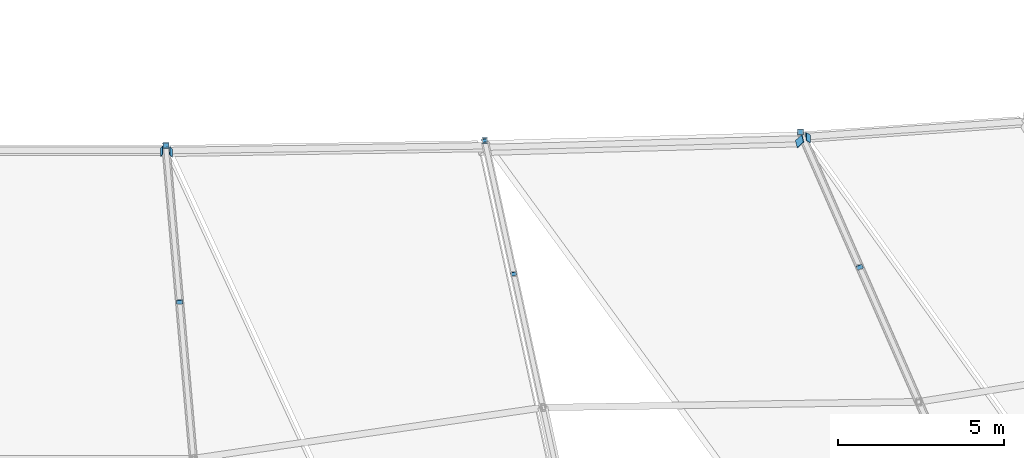
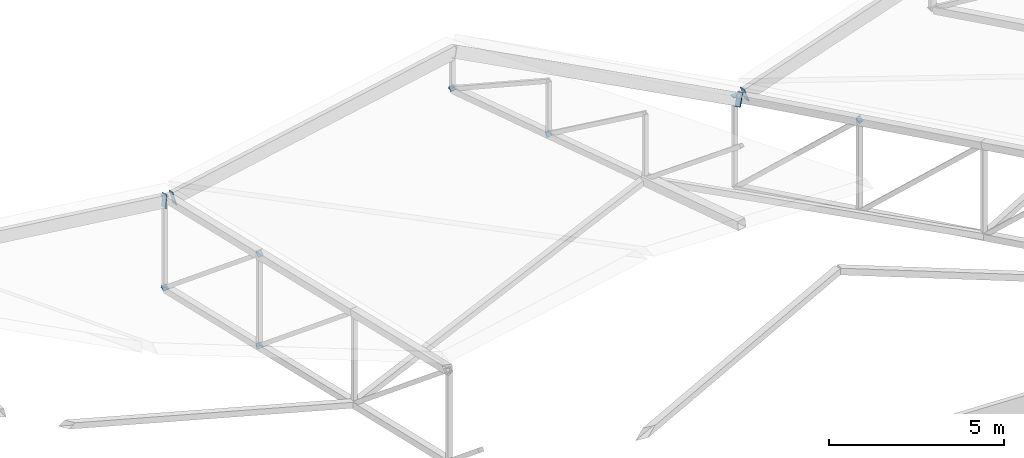
# One storey, part 287 of 344: 14 discrete accessories.
"""IFC4 building model written with IfcOpenShell, lengths in metres."""

import ifcopenshell
import ifcopenshell.guid

model = None  # the IFC model being written
_history = None  # IfcOwnerHistory: only IFC2X3 demands one
_inside = {}  # id of a spatial element -> (the spatial element, [elements in it])
_under = {}  # id of a project, library or spatial element -> (it, [spatial elements below it])
_declared = {}  # id of a project -> (the project, [libraries it declares])
_typed = {}  # id of a type object -> (the type object, [elements of that type])
_made_of = {}  # id of a material, layer set ... -> (it, [elements and type objects made of it])


def new_model(schema):
    """Start an empty IFC model of exactly this schema.

    Asked for "IFC4X3", IfcOpenShell would pick the latest addendum, in which some entities
    have other attributes; the version numbers below select the first issue.
    IFC2X3 requires an IfcOwnerHistory on every rooted entity: one is made here for all.
    """
    global model, _history
    if schema == "IFC4X3":
        model = ifcopenshell.file(schema_version=(4, 3, 0, 0))
    else:
        model = ifcopenshell.file(schema=schema)
    _inside.clear()
    _under.clear()
    _declared.clear()
    _typed.clear()
    _made_of.clear()
    _history = None
    if model.schema == "IFC2X3":
        org = make("IfcOrganization", Name="unknown")
        user = make(
            "IfcPersonAndOrganization",
            ThePerson=make("IfcPerson", FamilyName="unknown"),
            TheOrganization=org,
        )
        app = make(
            "IfcApplication",
            ApplicationDeveloper=org,
            Version="unknown",
            ApplicationFullName="unknown",
            ApplicationIdentifier="unknown",
        )
        _history = make(
            "IfcOwnerHistory",
            OwningUser=user,
            OwningApplication=app,
            ChangeAction="ADDED",
            CreationDate=0,
        )
    return model


def make(cls, **values):
    """One entity of the class cls with the attributes given. An attribute that is None is left unset."""
    return model.create_entity(
        cls, **{name: value for name, value in values.items() if value is not None}
    )


def rooted(cls, **values):
    """An entity with a GlobalId (a new one), such as an element, a storey or a relation."""
    return make(cls, GlobalId=ifcopenshell.guid.new(), OwnerHistory=_history, **values)


def si_unit(unit_type, name, prefix=None):
    """IfcSIUnit, for example si_unit("LENGTHUNIT", "METRE", prefix="MILLI")."""
    return make("IfcSIUnit", UnitType=unit_type, Prefix=prefix, Name=name)


def assignment(units):
    """IfcUnitAssignment: the units of a project."""
    return None if units is None else make("IfcUnitAssignment", Units=units)


def point(xyz):
    """IfcCartesianPoint."""
    return None if xyz is None else make("IfcCartesianPoint", Coordinates=xyz)


def direction(xyz):
    """IfcDirection."""
    return None if xyz is None else make("IfcDirection", DirectionRatios=xyz)


def frame(location, z_axis=None, x_axis=None):
    """IfcAxis2Placement3D, a coordinate frame: its origin and axes. An axis left out is left unset."""
    return make(
        "IfcAxis2Placement3D",
        Location=point(location),
        Axis=direction(z_axis),
        RefDirection=direction(x_axis),
    )


def frame_2d(location, x_axis=None):
    """IfcAxis2Placement2D, a coordinate frame in the plane: its origin and x axis."""
    return make(
        "IfcAxis2Placement2D", Location=point(location), RefDirection=direction(x_axis)
    )


def origin():
    """The frame at (0, 0, 0) with its axes left unset."""
    return frame((0.0, 0.0, 0.0))


def origin_2d():
    """The frame at (0, 0) in the plane with its x axis left unset."""
    return frame_2d((0.0, 0.0))


def place(relative_to, where):
    """IfcLocalPlacement: puts the frame where relative to a parent placement (None: the world)."""
    return make(
        "IfcLocalPlacement", PlacementRelTo=relative_to, RelativePlacement=where
    )


def context(
    kind, dimensions, precision=None, world=None, true_north=None, identifier=None
):
    """IfcGeometricRepresentationContext, for example the 3D "Model" context."""
    return make(
        "IfcGeometricRepresentationContext",
        ContextIdentifier=identifier,
        ContextType=kind,
        CoordinateSpaceDimension=dimensions,
        Precision=precision,
        WorldCoordinateSystem=world,
        TrueNorth=true_north,
    )


def subcontext(parent, identifier, kind, view, scale=None):
    """IfcGeometricRepresentationSubContext, for example "Body" below "Model"."""
    return make(
        "IfcGeometricRepresentationSubContext",
        ContextIdentifier=identifier,
        ContextType=kind,
        ParentContext=parent,
        TargetScale=scale,
        TargetView=view,
    )


def project(units=None, contexts=None):
    """IfcProject with its units and contexts."""
    return rooted(
        "IfcProject",
        Name="project",
        RepresentationContexts=contexts,
        UnitsInContext=assignment(units),
    )


def spatial(cls, under=None, at=None, **own):
    """A site, building, storey or space (cls), placed at a placement, below another one or the project."""
    s = rooted(cls, ObjectPlacement=at, **own)
    if under is not None:
        _under.setdefault(under.id(), (under, []))[1].append(s)
    return s


def profile(cls, at=None, kind="AREA", **sizes):
    """A parametric profile (cls). Its sizes go by their IFC names, for example OverallWidth=200.0."""
    return make(cls, ProfileType=kind, Position=at, **sizes)


def rectangle(**sizes):
    """IfcRectangleProfileDef."""
    return profile("IfcRectangleProfileDef", **sizes)


def extrude(swept, where, along, depth):
    """IfcExtrudedAreaSolid: the profile swept, set in the frame where, extruded along a direction by depth."""
    return make(
        "IfcExtrudedAreaSolid",
        SweptArea=swept,
        Position=where,
        ExtrudedDirection=direction(along),
        Depth=depth,
    )


def shape(context_of_items, identifier, shape_type, items):
    """IfcShapeRepresentation: the items that make up one representation, for example the "Body"."""
    return make(
        "IfcShapeRepresentation",
        ContextOfItems=context_of_items,
        RepresentationIdentifier=identifier,
        RepresentationType=shape_type,
        Items=items,
    )


def material(Name=None, Category=None):
    """IfcMaterial."""
    return make("IfcMaterial", Name=Name, Category=Category)


def material_profile(
    of_material, cross_section, Name=None, Category=None, Priority=None
):
    """IfcMaterialProfile: a cross section and its material."""
    return make(
        "IfcMaterialProfile",
        Name=Name,
        Material=of_material,
        Profile=cross_section,
        Priority=Priority,
        Category=Category,
    )


def profile_set(profiles, Name=None, composite=None):
    """IfcMaterialProfileSet."""
    return make(
        "IfcMaterialProfileSet",
        Name=Name,
        MaterialProfiles=profiles,
        CompositeProfile=composite,
    )


def made_of(thing, what):
    """Note that an element or type object is made of a material, layer set ...; save() writes the relation."""
    if what is not None:
        _made_of.setdefault(what.id(), (what, []))[1].append(thing)
    return thing


def type_object(cls, material=None, **own):
    """A type object (cls), such as IfcWallType, which elements share."""
    return made_of(rooted(cls, **own), material)


def element(
    cls,
    number,
    at=None,
    inside=None,
    cuts=None,
    type_object=None,
    material=None,
    context=None,
    identifier="Body",
    shape_type=None,
    held_by="IfcProductDefinitionShape",
    body=None,
    shapes=None,
    **own,
):
    """One element of the class cls, such as IfcWall. Its Tag is "e" and its number.

    at: its placement. inside: the storey or other place that contains it. cuts: it is an
    opening in that element (IfcRelVoidsElement). A single representation is given by context,
    identifier, shape_type and body (its items); several are given by shapes. held_by: the class
    of the entity that holds the representations. save() writes the other relations.
    """
    e = rooted(cls, Tag="e%d" % number, ObjectPlacement=at, **own)
    if body is not None:
        shapes = [shape(context, identifier, shape_type, body)]
    if shapes is not None:
        e.Representation = make(held_by, Representations=shapes)
    if inside is not None:
        _inside.setdefault(inside.id(), (inside, []))[1].append(e)
    if cuts is not None:
        rooted(
            "IfcRelVoidsElement", RelatingBuildingElement=cuts, RelatedOpeningElement=e
        )
    if type_object is not None:
        _typed.setdefault(type_object.id(), (type_object, []))[1].append(e)
    return made_of(e, material)


def aggregate(whole, parts):
    """IfcRelAggregates: a whole, such as a stair, and the parts it consists of."""
    return rooted("IfcRelAggregates", RelatingObject=whole, RelatedObjects=parts)


def save(model, path):
    """Write the relations noted so far, then the file.

    IfcRelAggregates (storeys below a building ...), IfcRelContainedInSpatialStructure (elements
    in a storey), IfcRelDefinesByType, IfcRelAssociatesMaterial and IfcRelDeclares: one each for
    every whole, place, type object, material and project.
    """
    for whole, parts in _under.values():
        aggregate(whole, parts)
    for where, things in _inside.values():
        rooted(
            "IfcRelContainedInSpatialStructure",
            RelatedElements=things,
            RelatingStructure=where,
        )
    for kind, things in _typed.values():
        rooted("IfcRelDefinesByType", RelatedObjects=things, RelatingType=kind)
    for what, things in _made_of.values():
        rooted("IfcRelAssociatesMaterial", RelatedObjects=things, RelatingMaterial=what)
    for by, libraries in _declared.values():
        rooted("IfcRelDeclares", RelatingContext=by, RelatedDefinitions=libraries)
    model.write(path)


model = new_model("IFC4")

# Units and contexts
model_context = context("Model", 3, precision=1e-05, world=origin(), true_north=direction((0.0, 1.0)))
body_context = subcontext(model_context, "Body", "Model", "MODEL_VIEW")
ifc_project = project(units=[si_unit("LENGTHUNIT", "METRE"), si_unit("AREAUNIT", "SQUARE_METRE"), si_unit("VOLUMEUNIT", "CUBIC_METRE"), si_unit("PLANEANGLEUNIT", "RADIAN"), si_unit("MASSUNIT", "GRAM", prefix="KILO")], contexts=[model_context])

# Site, building, storey
site_placement = place(None, origin())
site = spatial("IfcSite", under=ifc_project, at=site_placement, CompositionType="ELEMENT")
building_placement = place(site_placement, origin())
building = spatial("IfcBuilding", under=site, at=building_placement, Name="Meseta Stadium", CompositionType="ELEMENT")
storey_placement = place(building_placement, frame((0.0, 0.0, 24.0)))
storey = spatial("IfcBuildingStorey", under=building, at=storey_placement, Name="L04", CompositionType="ELEMENT", Elevation=24.0)

# Discrete accessories
ifc_material_1 = material(Name="Steel S355", Category="steel")
ifc_material_profile_1 = material_profile(ifc_material_1, rectangle(XDim=0.179931640625, YDim=0.179931640625, at=origin_2d()), Name="PL 180x180")
ifc_profile_set_1 = profile_set([ifc_material_profile_1], Name="Steel S355")
discrete_accessory_type_1 = type_object("IfcDiscreteAccessoryType", Name="End plate 180x180x20", PredefinedType="ANCHORPLATE", material=ifc_profile_set_1)
for number, where, z_axis, x_axis, name in (
    (1, (4.80810546875, -65.981201171875, 1.75048828125), (0.0, 0.0, 1.0), (1.0, 0.0, 0.0), "End plate of ROOF TRUSS RT-47 post"),
    (2, (4.80810546875, -65.981201171875, 4.970458984375), (0.0, 0.0, 1.0), (1.0, 0.0, 0.0), "End plate of ROOF TRUSS RT-47 post"),
    (3, (4.806640625, -65.9658203125, 1.7578125), (0.073252483696, -0.769151078803, 0.634854858695), (0.995495472594, 0.094809092628, 0.0), "End plate of ROOF TRUSS RT-47 diagonal"),
    (4, (5.220458984375, -70.6884765625, 5.658935546875), (0.073252483696, -0.769151078803, 0.634854858695), (0.995495472594, 0.094809092628, 0.0), "End plate of ROOF TRUSS RT-47 diagonal"),
    (5, (5.21923828125, -70.673095703125, 2.446044921875), (0.061093841343, -0.769782400916, 0.635375949962), (0.996865392576, 0.079116300998, 0.0), "End plate of ROOF TRUSS RT-47 diagonal"),
    (6, (14.3896484375, -65.8369140625, 5.27294921875), (0.0, 0.0, 1.0), (1.0, 0.0, 0.0), "End plate of ROOF TRUSS RT-48 post"),
    (7, (14.385986328125, -65.820068359375, 5.282958984375), (0.183707138088, -0.845052835203, 0.502132844106), (0.977176363923, 0.212429644331, 0.0), "End plate of ROOF TRUSS RT-48 diagonal"),
):
    element("IfcDiscreteAccessory", number, at=place(storey_placement, frame(where, z_axis=z_axis, x_axis=x_axis)), inside=storey, type_object=discrete_accessory_type_1, Name=name, PredefinedType="ANCHORPLATE", context=body_context, shape_type="SweptSolid", body=[
        extrude(rectangle(XDim=0.179931640625, YDim=0.179931640625, at=origin_2d()), origin(), (0.0, 0.0, 1.0), 0.02001953125),
    ])
discrete_accessory_1_placement = place(storey_placement, frame((15.25927734375, -69.83203125, 5.8232421875), z_axis=(0.171937762776, -0.798282470032, 0.577219632177), x_axis=(0.977581781174, 0.210556075945, 0.0)))
element("IfcDiscreteAccessory", 8, at=discrete_accessory_1_placement, inside=storey, type_object=discrete_accessory_type_1, Name="End plate of ROOF TRUSS RT-48 diagonal", PredefinedType="ANCHORPLATE", context=body_context, shape_type="SweptSolid", body=[
    extrude(rectangle(XDim=0.179931640625, YDim=0.179931640625, at=origin_2d()), origin(), (0.0, 0.0, 1.0), 0.019775390625),
])
discrete_accessory_2_placement = place(storey_placement, frame((23.879638671875, -65.576904296875, 1.544677734375), z_axis=(0.0, 0.0, 1.0), x_axis=(1.0, 0.0, 0.0)))
element("IfcDiscreteAccessory", 9, at=discrete_accessory_2_placement, inside=storey, type_object=discrete_accessory_type_1, Name="End plate of ROOF TRUSS RT-49 post", PredefinedType="ANCHORPLATE", context=body_context, shape_type="SweptSolid", body=[
    extrude(rectangle(XDim=0.179931640625, YDim=0.179931640625, at=origin_2d()), origin(), (0.0, 0.0, 1.0), 0.02001953125),
])
discrete_accessory_3_placement = place(storey_placement, frame((25.65478515625, -69.6328125, 2.543701171875), z_axis=(0.294794917616, -0.663288564635, 0.68785480777), x_axis=(0.91381154862, 0.406138466053, 0.0)))
element("IfcDiscreteAccessory", 10, at=discrete_accessory_3_placement, inside=storey, type_object=discrete_accessory_type_1, Name="End plate of ROOF TRUSS RT-49 diagonal", PredefinedType="ANCHORPLATE", context=body_context, shape_type="SweptSolid", body=[
    extrude(rectangle(XDim=0.179931640625, YDim=0.179931640625, at=origin_2d()), origin(), (0.0, 0.0, 1.0), 0.019775390625),
])
ifc_material_2 = material(Name="Steel S355", Category="steel")
ifc_material_profile_2 = material_profile(ifc_material_2, rectangle(XDim=0.239990234375, YDim=0.43994140625, at=origin_2d()), Name="PL 240x440")
ifc_profile_set_2 = profile_set([ifc_material_profile_2], Name="Steel S355")
discrete_accessory_type_2 = type_object("IfcDiscreteAccessoryType", Name="End plate 240x440x20", PredefinedType="ANCHORPLATE", material=ifc_profile_set_2)
discrete_accessory_4_placement = place(storey_placement, frame((4.677978515625, -66.156982421875, 4.963623046875), z_axis=(0.992465233221, 0.0, -0.122526572003), x_axis=(-0.018881399944, 0.988055186291, -0.152939339544)))
element("IfcDiscreteAccessory", 11, at=discrete_accessory_4_placement, inside=storey, type_object=discrete_accessory_type_2, Name="End plate of TIP RING BEAM 47", PredefinedType="ANCHORPLATE", context=body_context, shape_type="SweptSolid", body=[
    extrude(rectangle(XDim=0.239990234375, YDim=0.43994140625, at=origin_2d()), origin(), (0.0, 0.0, 1.0), 0.02001953125),
])
discrete_accessory_5_placement = place(storey_placement, frame((4.951171875, -66.177734375, 4.97802734375), z_axis=(0.982798016298, 0.012284975204, 0.184274628056), x_axis=(0.024859782923, 0.979904406393, -0.197912469349)))
element("IfcDiscreteAccessory", 12, at=discrete_accessory_5_placement, inside=storey, type_object=discrete_accessory_type_2, Name="End plate of TIP RING BEAM 48", PredefinedType="ANCHORPLATE", context=body_context, shape_type="SweptSolid", body=[
    extrude(rectangle(XDim=0.239990234375, YDim=0.43994140625, at=origin_2d()), origin(), (0.0, 0.0, 1.0), 0.019775390625),
])
for number, where, z_axis, x_axis, name in (
    (13, (23.844970703125, -65.859130859375, 1.60595703125), (0.879029804347, 0.024417494565, -0.476141144021), (-0.205226203373, 0.920806703596, -0.331658288095), "End plate of TIP RING BEAM 49"),
    (14, (24.09521484375, -65.7529296875, 1.63134765625), (0.960774843836, 0.072970241304, 0.267557551448), (-0.025232067169, 0.983762477571, -0.177692798138), "End plate of TIP RING BEAM 50"),
):
    element("IfcDiscreteAccessory", number, at=place(storey_placement, frame(where, z_axis=z_axis, x_axis=x_axis)), inside=storey, type_object=discrete_accessory_type_2, Name=name, PredefinedType="ANCHORPLATE", context=body_context, shape_type="SweptSolid", body=[
        extrude(rectangle(XDim=0.239990234375, YDim=0.43994140625, at=origin_2d()), origin(), (0.0, 0.0, 1.0), 0.02001953125),
    ])

save(model, "model.ifc")
